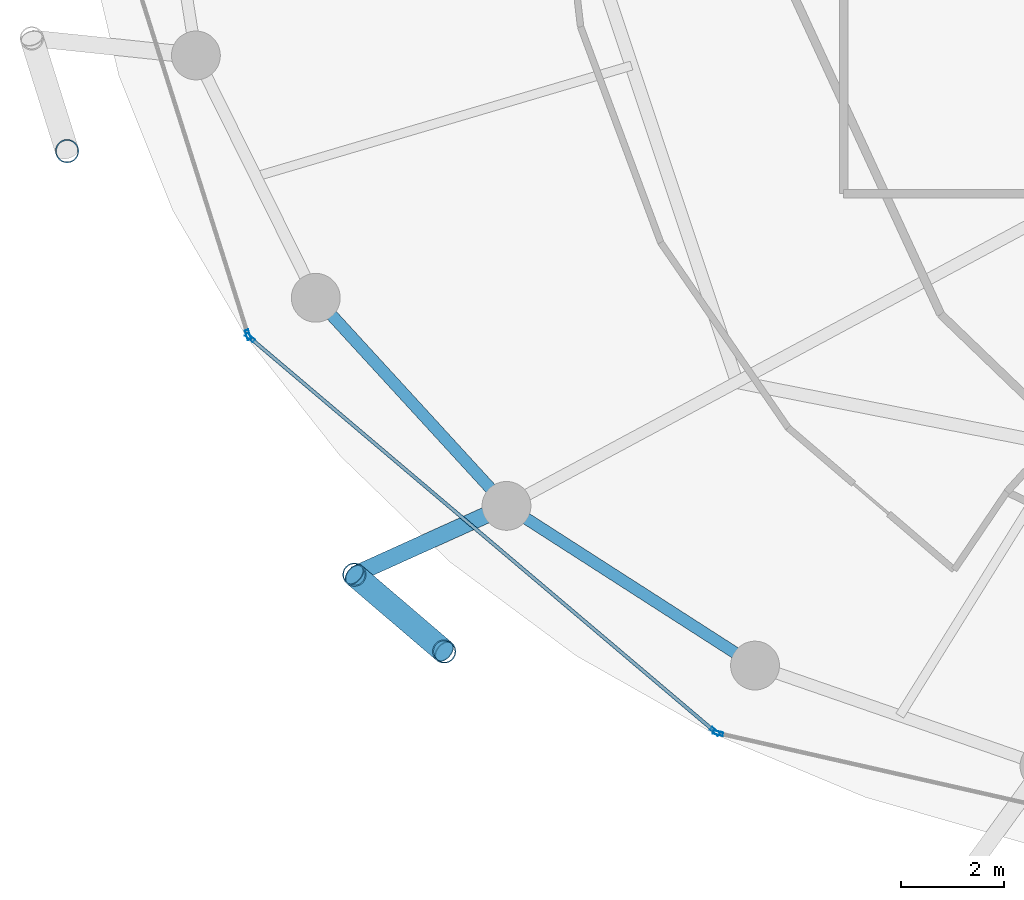
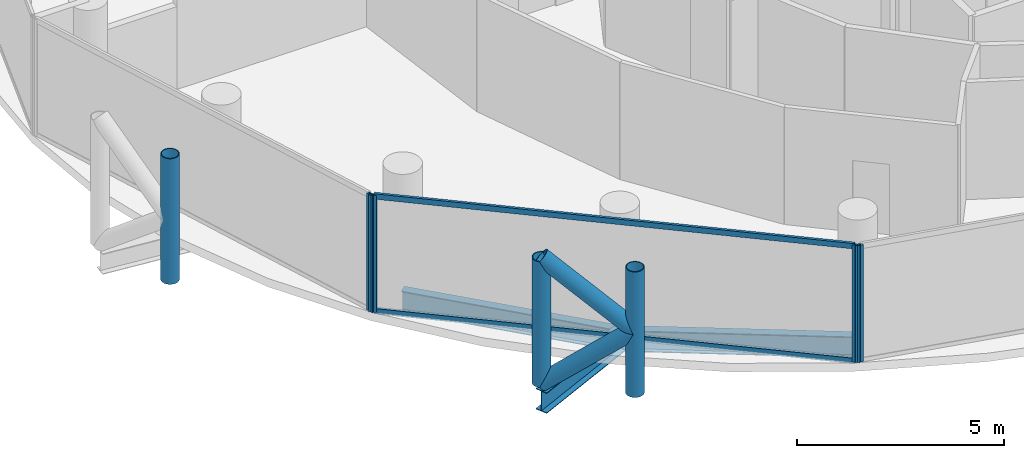
# One storey, part 2 of 26: 11 members, 3 beams, 3 elements without a shape of their own.
"""IFC4 building model written with IfcOpenShell, lengths in metres."""

from ifc_helpers import new_model, si_unit, direction, frame, origin, origin_2d, place, context, subcontext, project, spatial, hollow_rectangle, hollow_circle, i_section, extrude, material, layer, layer_set, material_profile, profile_set, type_object, element, aggregate, save


model = new_model("IFC4")

# Units and contexts
model_context = context("Model", 3, precision=1e-05, world=origin(), true_north=direction((0.0, 1.0)))
body_context = subcontext(model_context, "Body", "Model", "MODEL_VIEW")
ifc_project = project(units=[si_unit("LENGTHUNIT", "METRE"), si_unit("AREAUNIT", "SQUARE_METRE"), si_unit("VOLUMEUNIT", "CUBIC_METRE"), si_unit("PLANEANGLEUNIT", "RADIAN"), si_unit("MASSUNIT", "GRAM", prefix="KILO")], contexts=[model_context])

# Site, building, storey
site_placement = place(None, origin())
site = spatial("IfcSite", under=ifc_project, at=site_placement, CompositionType="ELEMENT")
building_placement = place(site_placement, origin())
building = spatial("IfcBuilding", under=site, at=building_placement, Name="Nuhasar Tower", CompositionType="ELEMENT")
storey_placement = place(building_placement, frame((0.0, 0.0, 125.64990234375)))
storey = spatial("IfcBuildingStorey", under=building, at=storey_placement, Name="L29", CompositionType="ELEMENT", Elevation=125.64990234375)

# Beams
ifc_material_1 = material(Name="Steel S355", Category="steel")
ifc_material_profile_1 = material_profile(ifc_material_1, i_section(OverallWidth=0.22998046875, OverallDepth=0.616943359375, WebThickness=0.01318359375, FlangeThickness=0.022216796875, at=origin_2d()), Name="W24X94")
ifc_profile_set_1 = profile_set([ifc_material_profile_1], Name="Steel S355")
beam_type_1 = type_object("IfcBeamType", Name="BM-RING-W24X94", PredefinedType="SPANDREL", material=ifc_profile_set_1)
beam_1_placement = place(storey_placement, frame((18.778076171875, 17.02490234375, -0.557861328125), z_axis=(0.675676316545, -0.737198423262, 0.0), x_axis=(0.737198423262, 0.675676316545, 0.0)))
element("IfcBeam", 1, at=beam_1_placement, inside=storey, type_object=beam_type_1, Name="L29 Perimeter Ring Spandrel 15", PredefinedType="SPANDREL", context=body_context, shape_type="SweptSolid", body=[
    extrude(i_section(OverallWidth=0.22998046875, OverallDepth=0.616943359375, WebThickness=0.01318359375, FlangeThickness=0.022216796875, at=origin_2d()), origin(), (0.0, 0.0, 1.0), 5.4921875),
])
beam_2_placement = place(storey_placement, frame((22.489013671875, 12.97607421875, -0.557861328125), z_axis=(0.841308170616, -0.540555789955, 0.0), x_axis=(0.540555789955, 0.841308170616, 0.0)))
element("IfcBeam", 2, at=beam_2_placement, inside=storey, type_object=beam_type_1, Name="L29 Perimeter Ring Spandrel 16", PredefinedType="SPANDREL", context=body_context, shape_type="SweptSolid", body=[
    extrude(i_section(OverallWidth=0.22998046875, OverallDepth=0.616943359375, WebThickness=0.01318359375, FlangeThickness=0.022216796875, at=origin_2d()), origin(), (0.0, 0.0, 1.0), 5.748046875),
])
ifc_material_profile_2 = material_profile(ifc_material_1, i_section(OverallWidth=0.323974609375, OverallDepth=0.611083984375, WebThickness=0.0126953125, FlangeThickness=0.01904296875, at=origin_2d()), Name="W24X104")
ifc_profile_set_2 = profile_set([ifc_material_profile_2], Name="Steel S355")
beam_type_2 = type_object("IfcBeamType", Name="BM-TIE-W24X104", PredefinedType="BEAM", material=ifc_profile_set_2)
beam_3_placement = place(storey_placement, frame((22.489013671875, 12.97607421875, -0.554931640625), z_axis=(-0.911211381786, -0.411939094653, 0.0), x_axis=(0.411939094653, -0.911211381786, 0.0)))
element("IfcBeam", 3, at=beam_3_placement, inside=storey, type_object=beam_type_2, Name="L29 Exoskeleton Node Tie Beam 08", PredefinedType="BEAM", context=body_context, shape_type="SweptSolid", body=[
    extrude(i_section(OverallWidth=0.323974609375, OverallDepth=0.611083984375, WebThickness=0.0126953125, FlangeThickness=0.01904296875, at=origin_2d()), origin(), (0.0, 0.0, 1.0), 3.248291015625),
])

# Curtain wall, member
ifc_material_2 = material(Name="Aluminium 6063-T6", Category="aluminium")
ifc_layer = layer(ifc_material_2, 0.199951171875)
ifc_layer_set = layer_set([ifc_layer], Name="Aluminium 6063-T6")
curtain_wall_type = type_object("IfcCurtainWallType", Name="CW-Z2-HTL", PredefinedType="NOTDEFINED", material=ifc_layer_set)
curtain_wall_1_placement = place(storey_placement, origin())
curtain_wall_1 = element("IfcCurtainWall", 4, at=curtain_wall_1_placement, inside=storey, type_object=curtain_wall_type, Name="L29 Unitised Curtain Wall 07", PredefinedType="NOTDEFINED")
ifc_material_profile_3 = material_profile(ifc_material_2, hollow_rectangle(XDim=0.070068359375, YDim=0.199951171875, WallThickness=0.0048828125, at=origin_2d()), Name="CWM-3")
ifc_profile_set_3 = profile_set([ifc_material_profile_3], Name="Aluminium 6063-T6")
member_type_1 = type_object("IfcMemberType", Name="CW-MUL-S3", PredefinedType="MULLION", material=ifc_profile_set_3)
member_1_placement = place(storey_placement, frame((17.46044921875, 16.303466796875, 0.0), z_axis=(0.0, 0.0, 1.0), x_axis=(0.953433389233, 0.301603667577, 0.0)))
member_1 = element("IfcMember", 5, at=member_1_placement, type_object=member_type_1, Name="CW-Z2 mullion 2", PredefinedType="MULLION", context=body_context, shape_type="SweptSolid", body=[
    extrude(hollow_rectangle(XDim=0.070068359375, YDim=0.199951171875, WallThickness=0.0048828125, at=origin_2d()), origin(), (0.0, 0.0, 1.0), 3.4501953125),
])
aggregate(curtain_wall_1, [member_1])

# Curtain wall, members
curtain_wall_2_placement = place(storey_placement, origin())
curtain_wall_2 = element("IfcCurtainWall", 6, at=curtain_wall_2_placement, inside=storey, type_object=curtain_wall_type, Name="L29 Unitised Curtain Wall 08", PredefinedType="NOTDEFINED")
member_2_placement = place(storey_placement, frame((17.497802734375, 16.247314453125, 0.0), z_axis=(0.0, 0.0, 1.0), x_axis=(0.646374438324, 0.763020370292, 0.0)))
member_2 = element("IfcMember", 7, at=member_2_placement, type_object=member_type_1, Name="CW-Z2 mullion 1", PredefinedType="MULLION", context=body_context, shape_type="SweptSolid", body=[
    extrude(hollow_rectangle(XDim=0.070068359375, YDim=0.199951171875, WallThickness=0.0048828125, at=origin_2d()), origin(), (0.0, 0.0, 1.0), 3.4501953125),
])
member_3_placement = place(storey_placement, frame((26.543212890625, 8.584716796875, 0.0), z_axis=(0.0, 0.0, 1.0), x_axis=(0.646374438324, 0.763020370292, 0.0)))
member_3 = element("IfcMember", 8, at=member_3_placement, type_object=member_type_1, Name="CW-Z2 mullion 2", PredefinedType="MULLION", context=body_context, shape_type="SweptSolid", body=[
    extrude(hollow_rectangle(XDim=0.070068359375, YDim=0.199951171875, WallThickness=0.0048828125, at=origin_2d()), origin(), (0.0, 0.0, 1.0), 3.4501953125),
])

# Curtain wall, member
curtain_wall_3_placement = place(storey_placement, origin())
curtain_wall_3 = element("IfcCurtainWall", 9, at=curtain_wall_3_placement, inside=storey, type_object=curtain_wall_type, Name="L29 Unitised Curtain Wall 09", PredefinedType="NOTDEFINED")
member_4_placement = place(storey_placement, frame((26.604248046875, 8.55419921875, 0.0), z_axis=(0.0, 0.0, 1.0), x_axis=(0.22139729566, 0.975183694221, 0.0)))
member_4 = element("IfcMember", 10, at=member_4_placement, type_object=member_type_1, Name="CW-Z2 mullion 1", PredefinedType="MULLION", context=body_context, shape_type="SweptSolid", body=[
    extrude(hollow_rectangle(XDim=0.070068359375, YDim=0.199951171875, WallThickness=0.0048828125, at=origin_2d()), origin(), (0.0, 0.0, 1.0), 3.4501953125),
])
aggregate(curtain_wall_3, [member_4])

# Member
ifc_material_profile_4 = material_profile(ifc_material_2, hollow_rectangle(XDim=0.070068359375, YDim=0.159912109375, WallThickness=0.00439453125, at=origin_2d()), Name="CWT-3")
ifc_profile_set_4 = profile_set([ifc_material_profile_4], Name="Aluminium 6063-T6")
member_type_2 = type_object("IfcMemberType", Name="CW-TRN-S3", PredefinedType="USERDEFINED", material=ifc_profile_set_4)
member_5_placement = place(storey_placement, frame((17.5244140625, 16.224853515625, 0.03515625), z_axis=(0.763013698099, -0.646382314511, 0.0), x_axis=(0.646382314511, 0.763013698099, 0.0)))
member_5 = element("IfcMember", 11, at=member_5_placement, type_object=member_type_2, Name="CW-Z2 transom 1.1", ObjectType="TRANSOM", PredefinedType="USERDEFINED", context=body_context, shape_type="SweptSolid", body=[
    extrude(hollow_rectangle(XDim=0.070068359375, YDim=0.159912109375, WallThickness=0.00439453125, at=origin_2d()), origin(), (0.0, 0.0, 1.0), 11.78515625),
])

member_6_placement = place(storey_placement, frame((17.5244140625, 16.224853515625, 3.4150390625), z_axis=(0.763013698099, -0.646382314511, 0.0), x_axis=(0.646382314511, 0.763013698099, 0.0)))
member_6 = element("IfcMember", 12, at=member_6_placement, type_object=member_type_2, Name="CW-Z2 transom 1.2", ObjectType="TRANSOM", PredefinedType="USERDEFINED", context=body_context, shape_type="SweptSolid", body=[
    extrude(hollow_rectangle(XDim=0.070068359375, YDim=0.159912109375, WallThickness=0.00439453125, at=origin_2d()), origin(), (0.0, 0.0, 1.0), 11.78515625),
])

aggregate(curtain_wall_2, [member_2, member_3, member_5, member_6])

# Members
ifc_material_3 = material(Name="Steel S460", Category="steel")
ifc_material_profile_5 = material_profile(ifc_material_3, hollow_circle(Radius=0.228515625, WallThickness=0.022216796875, at=origin_2d()), Name="HSS457X22.2")
ifc_profile_set_5 = profile_set([ifc_material_profile_5], Name="Steel S460")
member_type_3 = type_object("IfcMemberType", Name="EXO-BRONZE-457", PredefinedType="BRACE", material=ifc_profile_set_5)
for number, where, z_axis, x_axis, name in (
    (13, (13.93994140625, 19.87890625, 0.0), (0.0, 0.0, 1.0), (1.0, 0.0, 0.0), "L29 Exoskeleton Chord Column EC-07B"),
    (14, (19.529052734375, 11.637939453125, 0.0), (0.0, 0.0, 1.0), (1.0, 0.0, 0.0), "L29 Exoskeleton Chord Column EC-08A"),
    (15, (21.277099609375, 10.14306640625, 0.0), (0.0, 0.0, 1.0), (1.0, 0.0, 0.0), "L29 Exoskeleton Chord Column EC-08B"),
):
    element("IfcMember", number, at=place(storey_placement, frame(where, z_axis=z_axis, x_axis=x_axis)), inside=storey, type_object=member_type_3, Name=name, PredefinedType="BRACE", context=body_context, shape_type="SweptSolid", body=[
        extrude(hollow_circle(Radius=0.228515625, WallThickness=0.022216796875, at=origin_2d()), origin(), (0.0, 0.0, 1.0), 3.7001953125),
    ])
for number, where, z_axis, x_axis, name in (
    (16, (19.529052734375, 11.637939453125, 0.0), (0.592195175458, -0.506426125604, 0.626767463634), (0.649925557156, 0.7599978751, 0.0), "L29 Bronze Diagrid Brace W1-08"),
    (17, (21.277099609375, 10.14306640625, 1.85009765625), (-0.592195175458, 0.506426125604, 0.626767463634), (-0.649925557156, -0.7599978751, 0.0), "L29 Bronze Diagrid Brace W2-08"),
):
    element("IfcMember", number, at=place(storey_placement, frame(where, z_axis=z_axis, x_axis=x_axis)), inside=storey, type_object=member_type_3, Name=name, PredefinedType="BRACE", context=body_context, shape_type="SweptSolid", body=[
        extrude(hollow_circle(Radius=0.228515625, WallThickness=0.022216796875, at=origin_2d()), origin(), (0.0, 0.0, 1.0), 2.951904296875),
    ])

save(model, "model.ifc")
